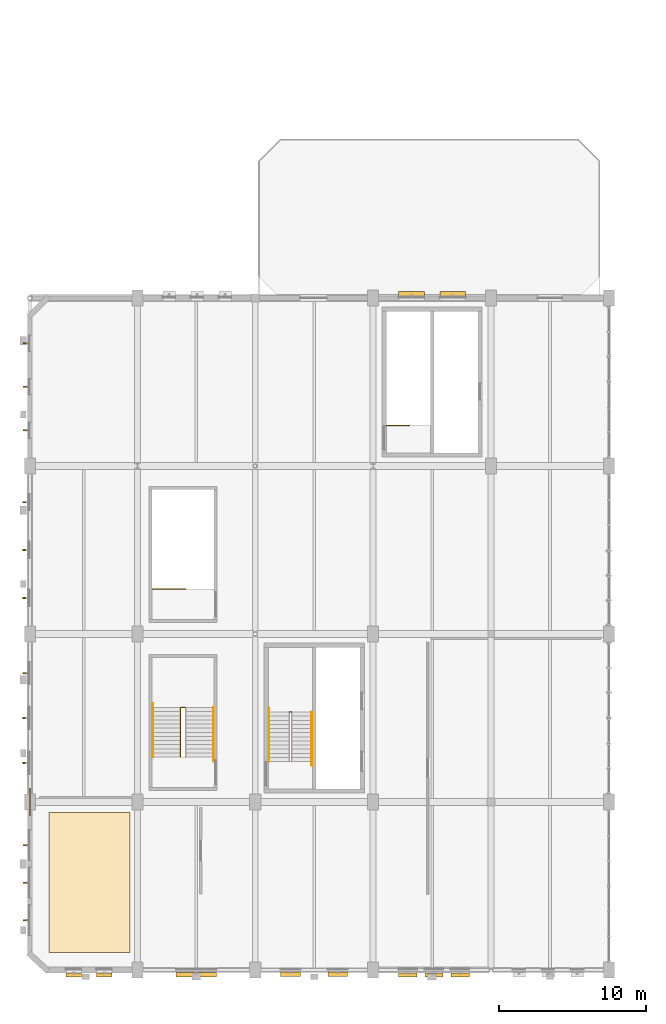
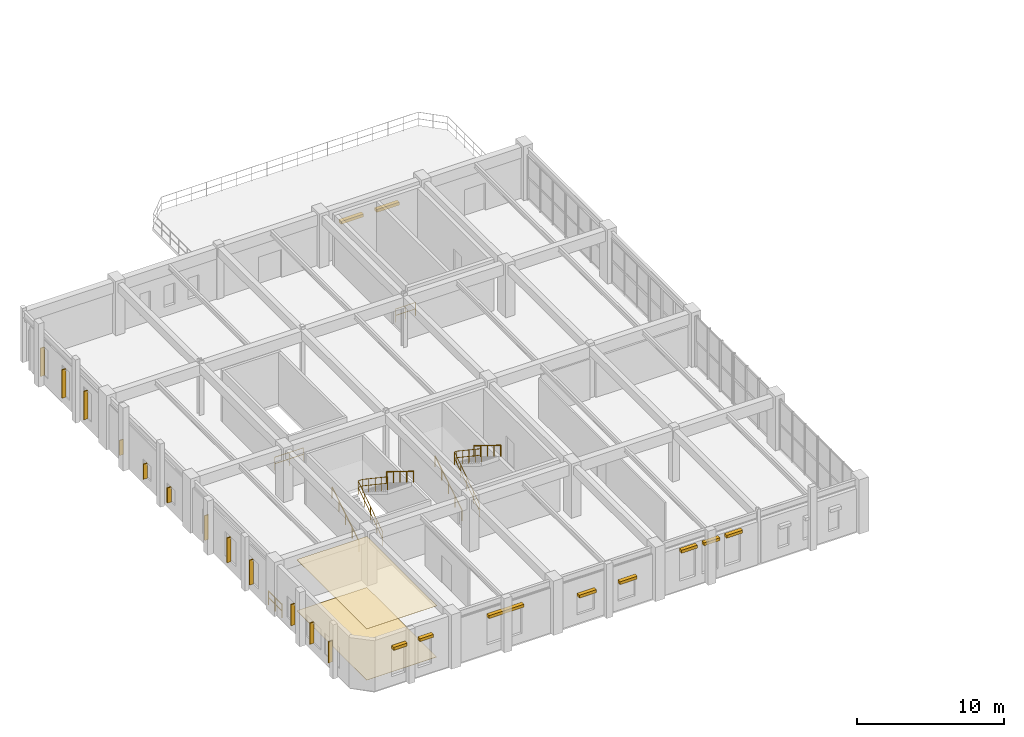
# One storey, part 45 of 48: 22 shading devices, 9 railings, 2 coverings.
"""IFC4 building model written with IfcOpenShell, lengths in metres."""

from ifc_helpers import new_model, si_unit, direction, frame, origin, origin_2d, place, context, subcontext, project, spatial, polyline, rectangle, circle, outline, extrude, material, layer, layer_set, type_object, element, save


model = new_model("IFC4")

# Units and contexts
model_context = context("Model", 3, precision=1e-05, world=origin(), true_north=direction((0.0, 1.0)))
body_context = subcontext(model_context, "Body", "Model", "MODEL_VIEW")
ifc_project = project(units=[si_unit("LENGTHUNIT", "METRE"), si_unit("AREAUNIT", "SQUARE_METRE"), si_unit("VOLUMEUNIT", "CUBIC_METRE"), si_unit("PLANEANGLEUNIT", "RADIAN"), si_unit("MASSUNIT", "GRAM", prefix="KILO"), si_unit("POWERUNIT", "WATT"), si_unit("THERMODYNAMICTEMPERATUREUNIT", "KELVIN")], contexts=[model_context])

# Site, building, storey
site_placement = place(None, origin())
site = spatial("IfcSite", under=ifc_project, at=site_placement, CompositionType="ELEMENT")
building_placement = place(site_placement, origin())
building = spatial("IfcBuilding", under=site, at=building_placement, Name="Kelmbourne Parkland Aquatics Centre", CompositionType="ELEMENT")
storey_placement = place(building_placement, frame((0.0, 0.0, 14.699951171875)))
storey = spatial("IfcBuildingStorey", under=building, at=storey_placement, Name="L03", CompositionType="ELEMENT", Elevation=14.699951171875)

# Coverings
ifc_material_1 = material(Name="Moisture-resistant acoustic mineral-fibre baffle ceiling", Category="gypsum")
ifc_layer_1 = layer(ifc_material_1, 0.02490234375)
ifc_layer_set_1 = layer_set([ifc_layer_1], Name="Moisture-resistant acoustic mineral-fibre baffle ceiling")
covering_type_1 = type_object("IfcCoveringType", Name="COV-CLG-AC", PredefinedType="CEILING", material=ifc_layer_set_1)
covering_1_placement = place(storey_placement, frame((0.0, 0.0, 4.235107421875)))
element("IfcCovering", 1, at=covering_1_placement, inside=storey, type_object=covering_type_1, Name="AltitudeLab acoustic ceiling baffles", PredefinedType="CEILING", context=body_context, shape_type="SweptSolid", body=[
    extrude(outline(polyline([(2.0, 2.0), (7.5, 2.0), (7.5, 11.5), (2.0, 11.5), (2.0, 2.0)])), origin(), (0.0, 0.0, 1.0), 0.02490234375),
])
ifc_material_2 = material(Name="Anti-slip vitrified ceramic aquatic deck tile", Category="ceramic")
ifc_layer_2 = layer(ifc_material_2, 0.02001953125)
ifc_layer_set_2 = layer_set([ifc_layer_2], Name="Anti-slip vitrified ceramic aquatic deck tile")
covering_type_2 = type_object("IfcCoveringType", Name="COV-FLR-TILE", PredefinedType="FLOORING", material=ifc_layer_set_2)
covering_2_placement = place(storey_placement, origin())
element("IfcCovering", 2, at=covering_2_placement, inside=storey, type_object=covering_type_2, Name="AltitudeLab anti-slip floor tiling", PredefinedType="FLOORING", context=body_context, shape_type="SweptSolid", body=[
    extrude(outline(polyline([(2.0, 2.0), (7.5, 2.0), (7.5, 11.5), (2.0, 11.5), (2.0, 2.0)])), origin(), (0.0, 0.0, 1.0), 0.02001953125),
])

# Railings
ifc_material_3 = material(Name="Grade 316 stainless steel and laminated glass balustrade", Category="glass")
ifc_layer_3 = layer(ifc_material_3, 0.06005859375)
ifc_layer_set_3 = layer_set([ifc_layer_3], Name="Grade 316 stainless steel and laminated glass balustrade")
railing_type_1 = type_object("IfcRailingType", Name="RL-BL-114", PredefinedType="BALUSTRADE", material=ifc_layer_set_3)
railing_1_placement = place(storey_placement, frame((0.719970703125, 11.300048828125, 0.0)))
element("IfcRailing", 3, at=railing_1_placement, inside=storey, type_object=railing_type_1, Name="Safety balustrade BAL-JCT-3", PredefinedType="BALUSTRADE", context=body_context, shape_type="SweptSolid", body=[
    extrude(circle(Radius=0.02392578125, at=origin_2d()), frame((0.0, 0.0, 1.11572265625), z_axis=(0.0, 1.0, 0.0), x_axis=(-1.0, 0.0, 0.0)), (0.0, 0.0, 1.0), 1.800048828125),
    extrude(circle(Radius=0.02392578125, at=origin_2d()), frame((0.0, 0.0, 0.56982421875), z_axis=(0.0, 1.0, 0.0), x_axis=(-1.0, 0.0, 0.0)), (0.0, 0.0, 1.0), 1.800048828125),
    extrude(circle(Radius=0.02099609375, at=origin_2d()), origin(), (0.0, 0.0, 1.0), 1.091796875),
    extrude(circle(Radius=0.02099609375, at=origin_2d()), frame((0.0, 0.89990234375, 0.0)), (0.0, 0.0, 1.0), 1.091796875),
    extrude(circle(Radius=0.02099609375, at=origin_2d()), frame((0.0, 1.800048828125, 0.0)), (0.0, 0.0, 1.0), 1.091796875),
])
ifc_material_4 = material(Name="Grade 316 marine stainless steel", Category="steel")
railing_type_2 = type_object("IfcRailingType", Name="RL-GD-112", PredefinedType="GUARDRAIL", material=ifc_material_4)
railing_2_placement = place(storey_placement, frame((18.307373046875, 14.949951171875, 0.0)))
element("IfcRailing", 4, at=railing_2_placement, inside=storey, type_object=railing_type_2, Name="West Wing South Fire-Fighting Core Stair ST01 well guardrail", PredefinedType="GUARDRAIL", context=body_context, shape_type="SweptSolid", body=[
    extrude(circle(Radius=0.02392578125, at=origin_2d()), frame((0.0, 0.0, 1.09619140625), z_axis=(0.0, 0.830915400975, 0.556398774641), x_axis=(-1.0, 0.0, 0.0)), (0.0, 0.0, 1.0), 4.0439453125),
    extrude(circle(Radius=0.02392578125, at=origin_2d()), frame((0.0, 0.0, 0.56005859375), z_axis=(0.0, 0.830915400975, 0.556398774641), x_axis=(-1.0, 0.0, 0.0)), (0.0, 0.0, 1.0), 4.0439453125),
    extrude(circle(Radius=0.02392578125, at=origin_2d()), frame((0.0, 3.360107421875, 3.34619140625), z_axis=(1.0, 0.0, 0.0), x_axis=(0.0, 1.0, 0.0)), (0.0, 0.0, 1.0), 0.16015625),
    extrude(circle(Radius=0.02392578125, at=origin_2d()), frame((0.0, 3.360107421875, 2.81005859375), z_axis=(1.0, 0.0, 0.0), x_axis=(0.0, 1.0, 0.0)), (0.0, 0.0, 1.0), 0.16015625),
    extrude(circle(Radius=0.02392578125, at=origin_2d()), frame((0.16015625, 3.360107421875, 3.34619140625), z_axis=(0.0, -0.830915400975, 0.556398774641), x_axis=(1.0, 0.0, 0.0)), (0.0, 0.0, 1.0), 4.0439453125),
    extrude(circle(Radius=0.02392578125, at=origin_2d()), frame((0.16015625, 3.360107421875, 2.81005859375), z_axis=(0.0, -0.830915400975, 0.556398774641), x_axis=(1.0, 0.0, 0.0)), (0.0, 0.0, 1.0), 4.0439453125),
    extrude(circle(Radius=0.02099609375, at=origin_2d()), origin(), (0.0, 0.0, 1.0), 1.072021484375),
    extrude(circle(Radius=0.02099609375, at=origin_2d()), frame((0.0, 0.840087890625, 0.5625)), (0.0, 0.0, 1.0), 1.072021484375),
    extrude(circle(Radius=0.02099609375, at=origin_2d()), frame((0.0, 1.68017578125, 1.125)), (0.0, 0.0, 1.0), 1.072021484375),
    extrude(circle(Radius=0.02099609375, at=origin_2d()), frame((0.0, 2.52001953125, 1.6875)), (0.0, 0.0, 1.0), 1.072021484375),
    extrude(circle(Radius=0.02099609375, at=origin_2d()), frame((0.0, 3.360107421875, 2.25)), (0.0, 0.0, 1.0), 1.072021484375),
    extrude(circle(Radius=0.02099609375, at=origin_2d()), frame((0.16015625, 3.360107421875, 2.25)), (0.0, 0.0, 1.0), 1.072021484375),
    extrude(circle(Radius=0.02099609375, at=origin_2d()), frame((0.16015625, 2.52001953125, 2.8125)), (0.0, 0.0, 1.0), 1.072021484375),
    extrude(circle(Radius=0.02099609375, at=origin_2d()), frame((0.16015625, 1.68017578125, 3.375)), (0.0, 0.0, 1.0), 1.072021484375),
    extrude(circle(Radius=0.02099609375, at=origin_2d()), frame((0.16015625, 0.840087890625, 3.9375)), (0.0, 0.0, 1.0), 1.072021484375),
    extrude(circle(Radius=0.02099609375, at=origin_2d()), frame((0.16015625, 0.0, 4.5)), (0.0, 0.0, 1.0), 1.072021484375),
])
railing_3_placement = place(storey_placement, frame((24.919921875, 37.75, 0.0)))
element("IfcRailing", 5, at=railing_3_placement, inside=storey, type_object=railing_type_2, Name="West Wing North Passenger Core Stair ST02 top well guardrail", PredefinedType="GUARDRAIL", context=body_context, shape_type="SweptSolid", body=[
    extrude(circle(Radius=0.02392578125, at=origin_2d()), frame((0.0, 0.0, 1.09619140625), z_axis=(1.0, 0.0, 0.0), x_axis=(0.0, 1.0, 0.0)), (0.0, 0.0, 1.0), 1.547607421875),
    extrude(circle(Radius=0.02392578125, at=origin_2d()), frame((0.0, 0.0, 0.56005859375), z_axis=(1.0, 0.0, 0.0), x_axis=(0.0, 1.0, 0.0)), (0.0, 0.0, 1.0), 1.547607421875),
    extrude(circle(Radius=0.02099609375, at=origin_2d()), origin(), (0.0, 0.0, 1.0), 1.072021484375),
    extrude(circle(Radius=0.02099609375, at=origin_2d()), frame((0.77392578125, 0.0, 0.0)), (0.0, 0.0, 1.0), 1.072021484375),
    extrude(circle(Radius=0.02099609375, at=origin_2d()), frame((1.547607421875, 0.0, 0.0)), (0.0, 0.0, 1.0), 1.072021484375),
])
railing_4_placement = place(storey_placement, frame((10.919921875, 15.25, 0.0)))
element("IfcRailing", 6, at=railing_4_placement, inside=storey, type_object=railing_type_2, Name="West South Perimeter Exit Stair well guardrail", PredefinedType="GUARDRAIL", context=body_context, shape_type="SweptSolid", body=[
    extrude(circle(Radius=0.02392578125, at=origin_2d()), frame((0.0, 0.0, 1.09619140625), z_axis=(0.0, 0.830915400975, 0.556398774641), x_axis=(-1.0, 0.0, 0.0)), (0.0, 0.0, 1.0), 4.0439453125),
    extrude(circle(Radius=0.02392578125, at=origin_2d()), frame((0.0, 0.0, 0.56005859375), z_axis=(0.0, 0.830915400975, 0.556398774641), x_axis=(-1.0, 0.0, 0.0)), (0.0, 0.0, 1.0), 4.0439453125),
    extrude(circle(Radius=0.02392578125, at=origin_2d()), frame((0.0, 3.360107421875, 3.34619140625), z_axis=(1.0, 0.0, 0.0), x_axis=(0.0, 1.0, 0.0)), (0.0, 0.0, 1.0), 0.360107421875),
    extrude(circle(Radius=0.02392578125, at=origin_2d()), frame((0.0, 3.360107421875, 2.81005859375), z_axis=(1.0, 0.0, 0.0), x_axis=(0.0, 1.0, 0.0)), (0.0, 0.0, 1.0), 0.360107421875),
    extrude(circle(Radius=0.02392578125, at=origin_2d()), frame((0.360107421875, 3.360107421875, 3.34619140625), z_axis=(0.0, -0.830915400975, 0.556398774641), x_axis=(1.0, 0.0, 0.0)), (0.0, 0.0, 1.0), 4.0439453125),
    extrude(circle(Radius=0.02392578125, at=origin_2d()), frame((0.360107421875, 3.360107421875, 2.81005859375), z_axis=(0.0, -0.830915400975, 0.556398774641), x_axis=(1.0, 0.0, 0.0)), (0.0, 0.0, 1.0), 4.0439453125),
    extrude(circle(Radius=0.02099609375, at=origin_2d()), origin(), (0.0, 0.0, 1.0), 1.072021484375),
    extrude(circle(Radius=0.02099609375, at=origin_2d()), frame((0.0, 0.840087890625, 0.5625)), (0.0, 0.0, 1.0), 1.072021484375),
    extrude(circle(Radius=0.02099609375, at=origin_2d()), frame((0.0, 1.68017578125, 1.125)), (0.0, 0.0, 1.0), 1.072021484375),
    extrude(circle(Radius=0.02099609375, at=origin_2d()), frame((0.0, 2.52001953125, 1.6875)), (0.0, 0.0, 1.0), 1.072021484375),
    extrude(circle(Radius=0.02099609375, at=origin_2d()), frame((0.0, 3.360107421875, 2.25)), (0.0, 0.0, 1.0), 1.072021484375),
    extrude(circle(Radius=0.02099609375, at=origin_2d()), frame((0.360107421875, 3.360107421875, 2.25)), (0.0, 0.0, 1.0), 1.072021484375),
    extrude(circle(Radius=0.02099609375, at=origin_2d()), frame((0.360107421875, 2.52001953125, 2.8125)), (0.0, 0.0, 1.0), 1.072021484375),
    extrude(circle(Radius=0.02099609375, at=origin_2d()), frame((0.360107421875, 1.68017578125, 3.375)), (0.0, 0.0, 1.0), 1.072021484375),
    extrude(circle(Radius=0.02099609375, at=origin_2d()), frame((0.360107421875, 0.840087890625, 3.9375)), (0.0, 0.0, 1.0), 1.072021484375),
    extrude(circle(Radius=0.02099609375, at=origin_2d()), frame((0.360107421875, 0.0, 4.5)), (0.0, 0.0, 1.0), 1.072021484375),
])
railing_5_placement = place(storey_placement, frame((9.02001953125, 26.64990234375, 0.0)))
element("IfcRailing", 7, at=railing_5_placement, inside=storey, type_object=railing_type_2, Name="West Central Park Exit Stair top well guardrail", PredefinedType="GUARDRAIL", context=body_context, shape_type="SweptSolid", body=[
    extrude(circle(Radius=0.02392578125, at=origin_2d()), frame((0.0, 0.0, 1.09619140625), z_axis=(1.0, 0.0, 0.0), x_axis=(0.0, 1.0, 0.0)), (0.0, 0.0, 1.0), 2.260009765625),
    extrude(circle(Radius=0.02392578125, at=origin_2d()), frame((0.0, 0.0, 0.56005859375), z_axis=(1.0, 0.0, 0.0), x_axis=(0.0, 1.0, 0.0)), (0.0, 0.0, 1.0), 2.260009765625),
    extrude(circle(Radius=0.02099609375, at=origin_2d()), origin(), (0.0, 0.0, 1.0), 1.072021484375),
    extrude(circle(Radius=0.02099609375, at=origin_2d()), frame((1.1298828125, 0.0, 0.0)), (0.0, 0.0, 1.0), 1.072021484375),
    extrude(circle(Radius=0.02099609375, at=origin_2d()), frame((2.260009765625, 0.0, 0.0)), (0.0, 0.0, 1.0), 1.072021484375),
])
railing_type_3 = type_object("IfcRailingType", Name="RL-HR-92", PredefinedType="HANDRAIL", material=ifc_material_4)
railing_6_placement = place(storey_placement, frame((16.93994140625, 14.949951171875, 0.173095703125)))
element("IfcRailing", 8, at=railing_6_placement, inside=storey, type_object=railing_type_3, Name="West Wing South Fire-Fighting Core Stair ST01 F1 handrail", PredefinedType="HANDRAIL", context=body_context, shape_type="SweptSolid", body=[
    extrude(circle(Radius=0.02392578125, at=origin_2d()), frame((0.0, 0.0, 0.89599609375), z_axis=(0.0, 0.850622404505, 0.525777067734), x_axis=(-1.0, 0.0, 0.0)), (0.0, 0.0, 1.0), 4.279296875),
    extrude(circle(Radius=0.02099609375, at=origin_2d()), origin(), (0.0, 0.0, 1.0), 0.871826171875),
    extrude(circle(Radius=0.02099609375, at=origin_2d()), frame((0.0, 0.91015625, 0.5625)), (0.0, 0.0, 1.0), 0.871826171875),
    extrude(circle(Radius=0.02099609375, at=origin_2d()), frame((0.0, 1.820068359375, 1.125)), (0.0, 0.0, 1.0), 0.871826171875),
    extrude(circle(Radius=0.02099609375, at=origin_2d()), frame((0.0, 2.72998046875, 1.6875)), (0.0, 0.0, 1.0), 0.871826171875),
    extrude(circle(Radius=0.02099609375, at=origin_2d()), frame((0.0, 3.64013671875, 2.25)), (0.0, 0.0, 1.0), 0.871826171875),
])
railing_7_placement = place(storey_placement, frame((19.8349609375, 18.31005859375, 2.423095703125)))
element("IfcRailing", 9, at=railing_7_placement, inside=storey, type_object=railing_type_3, Name="West Wing South Fire-Fighting Core Stair ST01 F2 handrail", PredefinedType="HANDRAIL", context=body_context, shape_type="SweptSolid", body=[
    extrude(circle(Radius=0.02392578125, at=origin_2d()), frame((0.0, 0.0, 0.89599609375), z_axis=(0.0, -0.850622404505, 0.525777067734), x_axis=(1.0, 0.0, 0.0)), (0.0, 0.0, 1.0), 4.279296875),
    extrude(circle(Radius=0.02099609375, at=origin_2d()), origin(), (0.0, 0.0, 1.0), 0.871826171875),
    extrude(circle(Radius=0.02099609375, at=origin_2d()), frame((0.0, -0.91015625, 0.5625)), (0.0, 0.0, 1.0), 0.871826171875),
    extrude(circle(Radius=0.02099609375, at=origin_2d()), frame((0.0, -1.820068359375, 1.125)), (0.0, 0.0, 1.0), 0.871826171875),
    extrude(circle(Radius=0.02099609375, at=origin_2d()), frame((0.0, -2.72998046875, 1.6875)), (0.0, 0.0, 1.0), 0.871826171875),
    extrude(circle(Radius=0.02099609375, at=origin_2d()), frame((0.0, -3.64013671875, 2.25)), (0.0, 0.0, 1.0), 0.871826171875),
])
railing_8_placement = place(storey_placement, frame((9.0400390625, 15.25, 0.173095703125)))
element("IfcRailing", 10, at=railing_8_placement, inside=storey, type_object=railing_type_3, Name="West South Perimeter Exit Stair F1 handrail", PredefinedType="HANDRAIL", context=body_context, shape_type="SweptSolid", body=[
    extrude(circle(Radius=0.02392578125, at=origin_2d()), frame((0.0, 0.0, 0.89599609375), z_axis=(0.0, 0.850606632239, 0.525802583857), x_axis=(-1.0, 0.0, 0.0)), (0.0, 0.0, 1.0), 4.279052734375),
    extrude(circle(Radius=0.02099609375, at=origin_2d()), origin(), (0.0, 0.0, 1.0), 0.871826171875),
    extrude(circle(Radius=0.02099609375, at=origin_2d()), frame((0.0, 0.909912109375, 0.5625)), (0.0, 0.0, 1.0), 0.871826171875),
    extrude(circle(Radius=0.02099609375, at=origin_2d()), frame((0.0, 1.81982421875, 1.125)), (0.0, 0.0, 1.0), 0.871826171875),
    extrude(circle(Radius=0.02099609375, at=origin_2d()), frame((0.0, 2.72998046875, 1.6875)), (0.0, 0.0, 1.0), 0.871826171875),
    extrude(circle(Radius=0.02099609375, at=origin_2d()), frame((0.0, 3.639892578125, 2.25)), (0.0, 0.0, 1.0), 0.871826171875),
])
railing_9_placement = place(storey_placement, frame((13.159912109375, 18.610107421875, 2.423095703125)))
element("IfcRailing", 11, at=railing_9_placement, inside=storey, type_object=railing_type_3, Name="West South Perimeter Exit Stair F2 handrail", PredefinedType="HANDRAIL", context=body_context, shape_type="SweptSolid", body=[
    extrude(circle(Radius=0.02392578125, at=origin_2d()), frame((0.0, 0.0, 0.89599609375), z_axis=(0.0, -0.850622404505, 0.525777067734), x_axis=(1.0, 0.0, 0.0)), (0.0, 0.0, 1.0), 4.279296875),
    extrude(circle(Radius=0.02099609375, at=origin_2d()), origin(), (0.0, 0.0, 1.0), 0.871826171875),
    extrude(circle(Radius=0.02099609375, at=origin_2d()), frame((0.0, -0.91015625, 0.5625)), (0.0, 0.0, 1.0), 0.871826171875),
    extrude(circle(Radius=0.02099609375, at=origin_2d()), frame((0.0, -1.820068359375, 1.125)), (0.0, 0.0, 1.0), 0.871826171875),
    extrude(circle(Radius=0.02099609375, at=origin_2d()), frame((0.0, -2.72998046875, 1.6875)), (0.0, 0.0, 1.0), 0.871826171875),
    extrude(circle(Radius=0.02099609375, at=origin_2d()), frame((0.0, -3.64013671875, 2.25)), (0.0, 0.0, 1.0), 0.871826171875),
])

# Shading devices
ifc_material_5 = material(Name="Architectural extruded terracotta baguettes", Category="masonry")
shading_device_type_1 = type_object("IfcShadingDeviceType", Name="SHD-FIN-1", PredefinedType="USERDEFINED", material=ifc_material_5)
for number, where, z_axis, x_axis, name in (
    (12, (0.405029296875, 4.175048828125, 0.75), (0.0, 0.0, 1.0), (0.0, 1.0, 0.0), "Terracotta vertical solar fin 164"),
    (13, (0.405029296875, 6.72412109375, 0.75), (0.0, 0.0, 1.0), (0.0, 1.0, 0.0), "Terracotta vertical solar fin 165"),
    (14, (0.405029296875, 9.27294921875, 0.75), (0.0, 0.0, 1.0), (0.0, 1.0, 0.0), "Terracotta vertical solar fin 166"),
):
    element("IfcShadingDevice", number, at=place(storey_placement, frame(where, z_axis=z_axis, x_axis=x_axis)), inside=storey, type_object=shading_device_type_1, Name=name, ObjectType="SOLAR FIN", PredefinedType="USERDEFINED", context=body_context, shape_type="SweptSolid", body=[
        extrude(rectangle(XDim=0.080078125, YDim=0.320068359375, at=origin_2d()), origin(), (0.0, 0.0, 1.0), 1.75),
    ])
for number, where, z_axis, x_axis, name in (
    (15, (0.364990234375, 14.85205078125, 0.75), (0.0, 0.0, 1.0), (0.0, 1.0, 0.0), "Terracotta vertical solar fin 167"),
    (16, (0.364990234375, 17.89990234375, 0.75), (0.0, 0.0, 1.0), (0.0, 1.0, 0.0), "Terracotta vertical solar fin 168"),
    (17, (0.364990234375, 20.947998046875, 0.75), (0.0, 0.0, 1.0), (0.0, 1.0, 0.0), "Terracotta vertical solar fin 169"),
):
    element("IfcShadingDevice", number, at=place(storey_placement, frame(where, z_axis=z_axis, x_axis=x_axis)), inside=storey, type_object=shading_device_type_1, Name=name, ObjectType="SOLAR FIN", PredefinedType="USERDEFINED", context=body_context, shape_type="SweptSolid", body=[
        extrude(rectangle(XDim=0.080078125, YDim=0.320068359375, at=origin_2d()), origin(), (0.0, 0.0, 1.0), 2.050048828125),
    ])
for number, where, z_axis, x_axis, name in (
    (18, (0.385009765625, 26.052001953125, 0.75), (0.0, 0.0, 1.0), (0.0, 1.0, 0.0), "Terracotta vertical solar fin 170"),
    (19, (0.385009765625, 29.300048828125, 0.75), (0.0, 0.0, 1.0), (0.0, 1.0, 0.0), "Terracotta vertical solar fin 171"),
    (20, (0.385009765625, 32.548095703125, 0.75), (0.0, 0.0, 1.0), (0.0, 1.0, 0.0), "Terracotta vertical solar fin 172"),
):
    element("IfcShadingDevice", number, at=place(storey_placement, frame(where, z_axis=z_axis, x_axis=x_axis)), inside=storey, type_object=shading_device_type_1, Name=name, ObjectType="SOLAR FIN", PredefinedType="USERDEFINED", context=body_context, shape_type="SweptSolid", body=[
        extrude(rectangle(XDim=0.080078125, YDim=0.320068359375, at=origin_2d()), origin(), (0.0, 0.0, 1.0), 1.25),
    ])
for number, where, z_axis, x_axis, name in (
    (21, (0.405029296875, 37.427001953125, 0.75), (0.0, 0.0, 1.0), (0.0, 1.0, 0.0), "Terracotta vertical solar fin 173"),
    (22, (0.405029296875, 40.3759765625, 0.75), (0.0, 0.0, 1.0), (0.0, 1.0, 0.0), "Terracotta vertical solar fin 174"),
    (23, (0.405029296875, 43.324951171875, 0.75), (0.0, 0.0, 1.0), (0.0, 1.0, 0.0), "Terracotta vertical solar fin 175"),
):
    element("IfcShadingDevice", number, at=place(storey_placement, frame(where, z_axis=z_axis, x_axis=x_axis)), inside=storey, type_object=shading_device_type_1, Name=name, ObjectType="SOLAR FIN", PredefinedType="USERDEFINED", context=body_context, shape_type="SweptSolid", body=[
        extrude(rectangle(XDim=0.080078125, YDim=0.320068359375, at=origin_2d()), origin(), (0.0, 0.0, 1.0), 2.35009765625),
    ])
shading_device_type_2 = type_object("IfcShadingDeviceType", Name="SHD-JAL-1", PredefinedType="JALOUSIE", material=ifc_material_5)
for number, where, z_axis, x_axis, name in (
    (24, (3.675048828125, 0.465087890625, 3.10009765625), (0.0, 0.0, 1.0), (1.0, 0.0, 0.0), "Terracotta horizontal jalousie hood 176"),
    (25, (5.748046875, 0.465087890625, 3.10009765625), (0.0, 0.0, 1.0), (1.0, 0.0, 0.0), "Terracotta horizontal jalousie hood 177"),
):
    element("IfcShadingDevice", number, at=place(storey_placement, frame(where, z_axis=z_axis, x_axis=x_axis)), inside=storey, type_object=shading_device_type_2, Name=name, PredefinedType="JALOUSIE", context=body_context, shape_type="SweptSolid", body=[
        extrude(rectangle(XDim=1.050048828125, YDim=0.300048828125, at=origin_2d()), origin(), (0.0, 0.0, 1.0), 0.239990234375),
    ])
shading_device_placement = place(storey_placement, frame((12.0, 0.485107421875, 3.10009765625), z_axis=(0.0, 0.0, 1.0), x_axis=(1.0, 0.0, 0.0)))
element("IfcShadingDevice", 26, at=shading_device_placement, inside=storey, type_object=shading_device_type_2, Name="Terracotta horizontal jalousie hood 178", PredefinedType="JALOUSIE", context=body_context, shape_type="SweptSolid", body=[
    extrude(rectangle(XDim=2.75, YDim=0.300048828125, at=origin_2d()), origin(), (0.0, 0.0, 1.0), 0.239990234375),
])
for number, where, z_axis, x_axis, name in (
    (27, (18.402099609375, 0.5048828125, 2.30029296875), (0.0, 0.0, 1.0), (1.0, 0.0, 0.0), "Terracotta horizontal jalousie hood 179"),
    (28, (21.597900390625, 0.5048828125, 2.30029296875), (0.0, 0.0, 1.0), (1.0, 0.0, 0.0), "Terracotta horizontal jalousie hood 180"),
):
    element("IfcShadingDevice", number, at=place(storey_placement, frame(where, z_axis=z_axis, x_axis=x_axis)), inside=storey, type_object=shading_device_type_2, Name=name, PredefinedType="JALOUSIE", context=body_context, shape_type="SweptSolid", body=[
        extrude(rectangle(XDim=1.35009765625, YDim=0.300048828125, at=origin_2d()), origin(), (0.0, 0.0, 1.0), 0.239990234375),
    ])
for number, where, z_axis, x_axis, name in (
    (29, (26.35205078125, 0.465087890625, 3.25), (0.0, 0.0, 1.0), (1.0, 0.0, 0.0), "Terracotta horizontal jalousie hood 181"),
    (30, (28.125, 0.465087890625, 3.25), (0.0, 0.0, 1.0), (1.0, 0.0, 0.0), "Terracotta horizontal jalousie hood 182"),
    (31, (29.89794921875, 0.465087890625, 3.25), (0.0, 0.0, 1.0), (1.0, 0.0, 0.0), "Terracotta horizontal jalousie hood 183"),
):
    element("IfcShadingDevice", number, at=place(storey_placement, frame(where, z_axis=z_axis, x_axis=x_axis)), inside=storey, type_object=shading_device_type_2, Name=name, PredefinedType="JALOUSIE", context=body_context, shape_type="SweptSolid", body=[
        extrude(rectangle(XDim=1.25, YDim=0.300048828125, at=origin_2d()), origin(), (0.0, 0.0, 1.0), 0.239990234375),
    ])
for number, where, z_axis, x_axis, name in (
    (32, (26.60205078125, 46.695068359375, 2.5), (0.0, 0.0, 1.0), (1.0, 0.0, 0.0), "Terracotta horizontal jalousie hood 190"),
    (33, (29.39794921875, 46.695068359375, 2.5), (0.0, 0.0, 1.0), (1.0, 0.0, 0.0), "Terracotta horizontal jalousie hood 191"),
):
    element("IfcShadingDevice", number, at=place(storey_placement, frame(where, z_axis=z_axis, x_axis=x_axis)), inside=storey, type_object=shading_device_type_2, Name=name, PredefinedType="JALOUSIE", context=body_context, shape_type="SweptSolid", body=[
        extrude(rectangle(XDim=1.75, YDim=0.300048828125, at=origin_2d()), origin(), (0.0, 0.0, 1.0), 0.239990234375),
    ])

save(model, "model.ifc")
